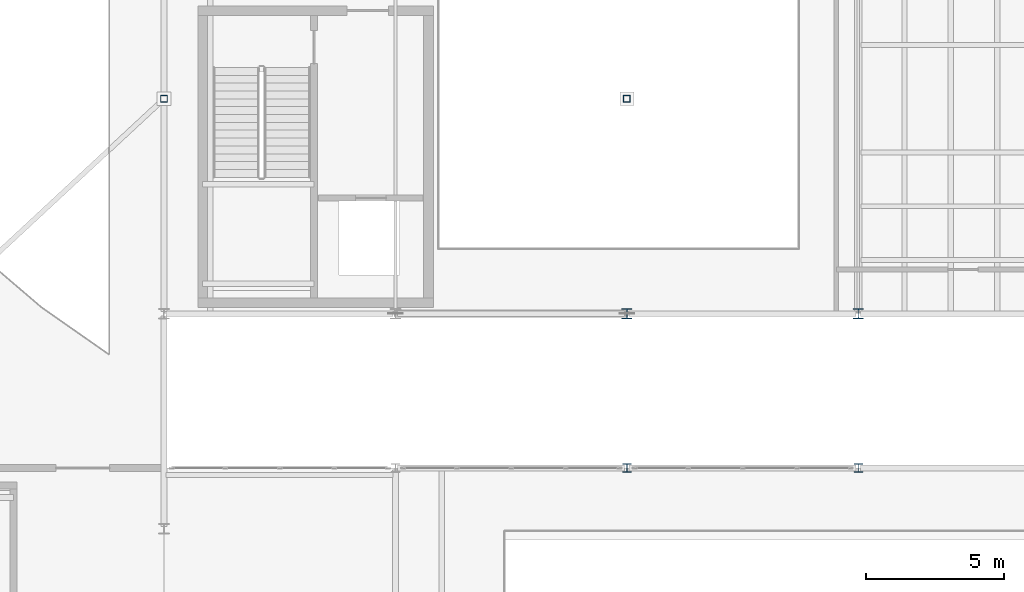
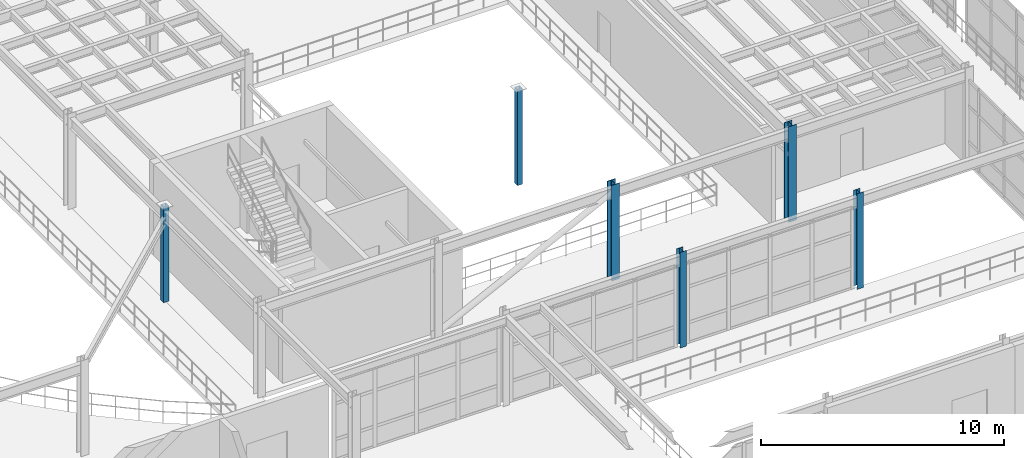
# One storey, part 3 of 116: 6 columns.
"""IFC4 building model written with IfcOpenShell, lengths in metres."""

from ifc_helpers import new_model, si_unit, direction, frame, origin, origin_2d, place, context, subcontext, project, spatial, hollow_rectangle, i_section, extrude, material, material_profile, profile_set, type_object, element, save


model = new_model("IFC4")

# Units and contexts
model_context = context("Model", 3, precision=1e-05, world=origin(), true_north=direction((0.0, 1.0)))
body_context = subcontext(model_context, "Body", "Model", "MODEL_VIEW")
ifc_project = project(units=[si_unit("LENGTHUNIT", "METRE"), si_unit("AREAUNIT", "SQUARE_METRE"), si_unit("VOLUMEUNIT", "CUBIC_METRE"), si_unit("PLANEANGLEUNIT", "RADIAN"), si_unit("MASSUNIT", "GRAM", prefix="KILO")], contexts=[model_context])

# Site, building, storey
site_placement = place(None, origin())
site = spatial("IfcSite", under=ifc_project, at=site_placement, CompositionType="ELEMENT")
building_placement = place(site_placement, origin())
building = spatial("IfcBuilding", under=site, at=building_placement, Name="Selat Folded Stagehouse", CompositionType="ELEMENT")
storey_placement = place(building_placement, frame((0.0, 0.0, 5.39990234375)))
storey = spatial("IfcBuildingStorey", under=building, at=storey_placement, Name="L01", CompositionType="ELEMENT", Elevation=5.39990234375)

# Columns
ifc_material = material(Name="Steel S355", Category="steel")
ifc_material_profile_1 = material_profile(ifc_material, i_section(OverallWidth=0.305419921875, OverallDepth=0.307861328125, WebThickness=0.010009765625, FlangeThickness=0.015380859375, FilletRadius=0.01513671875, at=origin_2d()), Name="UKC 305x305x97")
ifc_profile_set_1 = profile_set([ifc_material_profile_1], Name="Steel S355")
column_type_1 = type_object("IfcColumnType", Name="COL-UKC-305x305x97", PredefinedType="COLUMN", material=ifc_profile_set_1)
for number, where, z_axis, x_axis, name in (
    (1, (50.39990234375, 17.800048828125, 0.0), (0.0, 0.0, 1.0), (1.0, 0.0, 0.0), "L01 column STK-V5-50-178"),
    (2, (58.800048828125, 17.800048828125, 0.0), (0.0, 0.0, 1.0), (1.0, 0.0, 0.0), "L01 column STK-V5-58-178"),
):
    element("IfcColumn", number, at=place(storey_placement, frame(where, z_axis=z_axis, x_axis=x_axis)), inside=storey, type_object=column_type_1, Name=name, PredefinedType="COLUMN", context=body_context, shape_type="SweptSolid", body=[
        extrude(i_section(OverallWidth=0.305419921875, OverallDepth=0.307861328125, WebThickness=0.010009765625, FlangeThickness=0.015380859375, FilletRadius=0.01513671875, at=origin_2d()), origin(), (0.0, 0.0, 1.0), 4.800048828125),
    ])
ifc_material_profile_2 = material_profile(ifc_material, i_section(OverallWidth=0.37255859375, OverallDepth=0.3681640625, WebThickness=0.014404296875, FlangeThickness=0.023681640625, FilletRadius=0.01513671875, at=origin_2d()), Name="UKC 356x368x177")
ifc_profile_set_2 = profile_set([ifc_material_profile_2], Name="Steel S355")
column_type_2 = type_object("IfcColumnType", Name="COL-UKC-356x368x177", PredefinedType="COLUMN", material=ifc_profile_set_2)
for number, where, z_axis, x_axis, name in (
    (3, (50.39990234375, 23.39990234375, 0.0), (0.0, 0.0, 1.0), (1.0, 0.0, 0.0), "L01 column STK-V2-15"),
    (4, (58.800048828125, 23.39990234375, 0.0), (0.0, 0.0, 1.0), (1.0, 0.0, 0.0), "L01 column STK-V2-18"),
):
    element("IfcColumn", number, at=place(storey_placement, frame(where, z_axis=z_axis, x_axis=x_axis)), inside=storey, type_object=column_type_2, Name=name, PredefinedType="COLUMN", context=body_context, shape_type="SweptSolid", body=[
        extrude(i_section(OverallWidth=0.37255859375, OverallDepth=0.3681640625, WebThickness=0.014404296875, FlangeThickness=0.023681640625, FilletRadius=0.01513671875, at=origin_2d()), origin(), (0.0, 0.0, 1.0), 4.800048828125),
    ])
ifc_material_profile_3 = material_profile(ifc_material, hollow_rectangle(XDim=0.25, YDim=0.25, WallThickness=0.012451171875, at=origin_2d()), Name="SHS 250x250x12.5")
ifc_profile_set_3 = profile_set([ifc_material_profile_3], Name="Steel S355")
column_type_3 = type_object("IfcColumnType", Name="PIL-SHS-250x250", PredefinedType="PILASTER", material=ifc_profile_set_3)
for number, where, z_axis, x_axis, name in (
    (5, (33.60009765625, 31.199951171875, 0.0), (0.0, 0.0, 1.0), (1.0, 0.0, 0.0), "L01 pilaster 1"),
    (6, (50.39990234375, 31.199951171875, 0.0), (0.0, 0.0, 1.0), (1.0, 0.0, 0.0), "L01 pilaster 2"),
):
    element("IfcColumn", number, at=place(storey_placement, frame(where, z_axis=z_axis, x_axis=x_axis)), inside=storey, type_object=column_type_3, Name=name, PredefinedType="PILASTER", context=body_context, shape_type="SweptSolid", body=[
        extrude(hollow_rectangle(XDim=0.25, YDim=0.25, WallThickness=0.012451171875, at=origin_2d()), origin(), (0.0, 0.0, 1.0), 4.800048828125),
    ])

save(model, "model.ifc")
